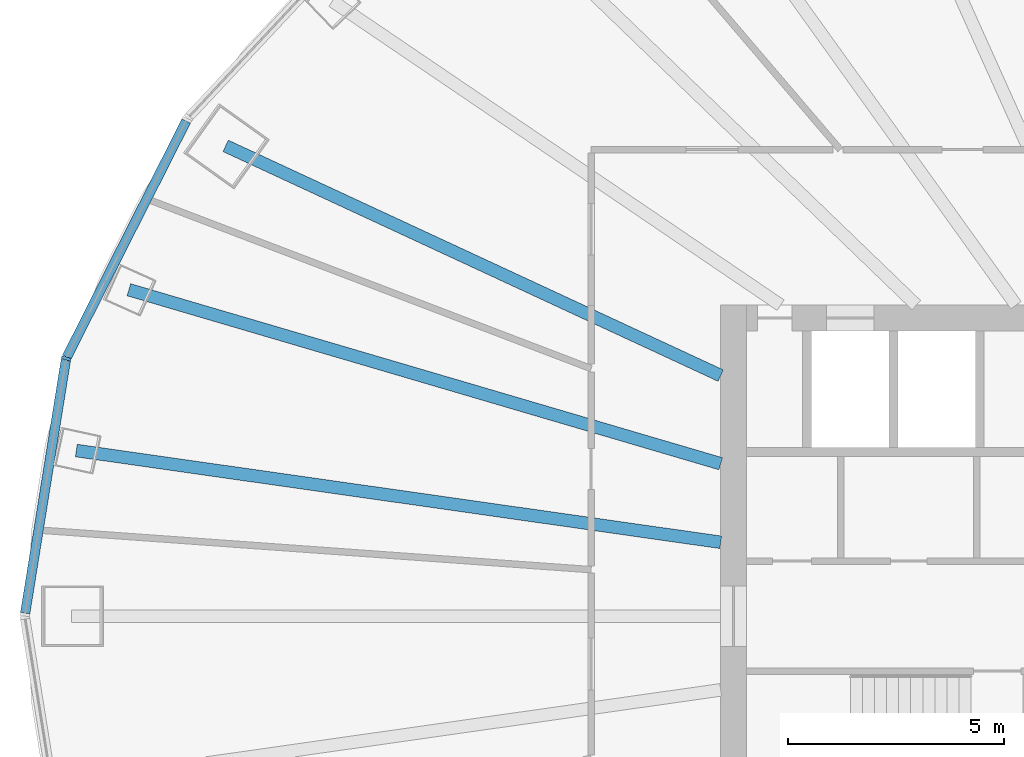
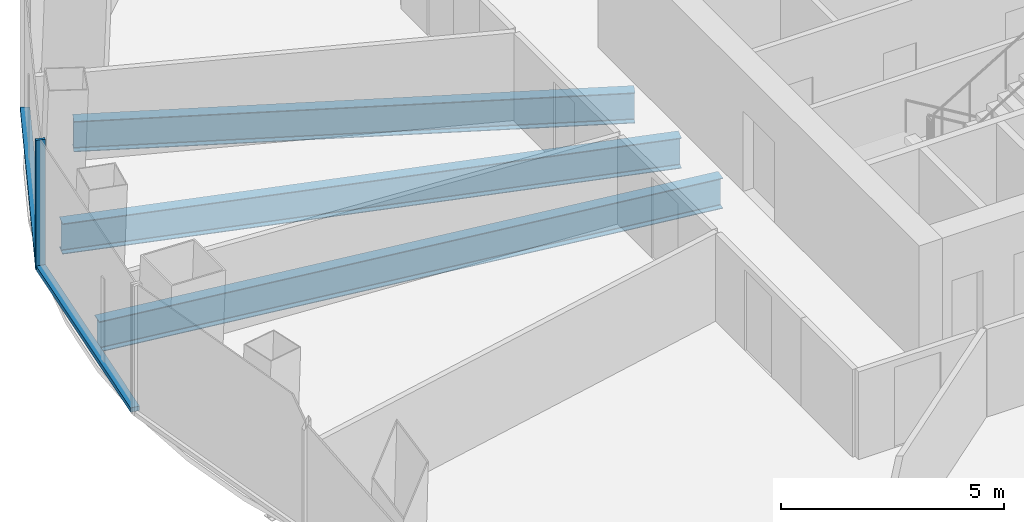
# One storey, part 3 of 11: 3 beams, 3 members, 1 element without a shape of its own.
"""IFC4 building model written with IfcOpenShell, lengths in metres."""

from ifc_helpers import new_model, si_unit, direction, frame, origin, origin_2d, place, context, subcontext, project, spatial, rectangle, i_section, extrude, material, layer, layer_set, material_profile, profile_set, type_object, element, aggregate, save


model = new_model("IFC4")

# Units and contexts
model_context = context("Model", 3, precision=1e-05, world=origin(), true_north=direction((0.0, 1.0)))
body_context = subcontext(model_context, "Body", "Model", "MODEL_VIEW")
ifc_project = project(units=[si_unit("LENGTHUNIT", "METRE"), si_unit("AREAUNIT", "SQUARE_METRE"), si_unit("VOLUMEUNIT", "CUBIC_METRE"), si_unit("PLANEANGLEUNIT", "RADIAN"), si_unit("MASSUNIT", "GRAM", prefix="KILO")], contexts=[model_context])

# Site, building, storey
site_placement = place(None, origin())
site = spatial("IfcSite", under=ifc_project, at=site_placement, CompositionType="ELEMENT")
building_placement = place(site_placement, origin())
building = spatial("IfcBuilding", under=site, at=building_placement, Name="Siaravel Broadcast Tower", CompositionType="ELEMENT")
storey_placement = place(building_placement, frame((0.0, 0.0, 40.800048828125)))
storey = spatial("IfcBuildingStorey", under=building, at=storey_placement, Name="L08", CompositionType="ELEMENT", Elevation=40.800048828125)

# Beams
ifc_material_1 = material(Name="Steel S355", Category="steel")
ifc_material_profile_1 = material_profile(ifc_material_1, i_section(OverallWidth=0.291748046875, OverallDepth=0.8349609375, WebThickness=0.013916015625, FlangeThickness=0.018798828125, FilletRadius=0.017822265625, at=origin_2d()))
ifc_profile_set_1 = profile_set([ifc_material_profile_1], Name="Steel S355")
beam_type = type_object("IfcBeamType", Name="BM-UB 838x292x176", PredefinedType="BEAM", material=ifc_profile_set_1)
beam_1_placement = place(storey_placement, frame((-23.46240234375, 10.88720703125, -0.567626953125), z_axis=(0.907099082, -0.420917159, 0.0), x_axis=(0.420917159, 0.907099082, 0.0)))
element("IfcBeam", 1, at=beam_1_placement, inside=storey, type_object=beam_type, Name="Radial beam RB16", PredefinedType="BEAM", context=body_context, shape_type="SweptSolid", body=[
    extrude(i_section(OverallWidth=0.291748046875, OverallDepth=0.8349609375, WebThickness=0.013916015625, FlangeThickness=0.018798828125, FilletRadius=0.017822265625, at=origin_2d()), origin(), (0.0, 0.0, 1.0), 12.63623046875),
])
beam_2_placement = place(storey_placement, frame((-25.70263671875, 7.555908203125, -0.567626953125), z_axis=(0.959400879, -0.282046013, 0.0), x_axis=(0.282046013, 0.959400879, 0.0)))
element("IfcBeam", 2, at=beam_2_placement, inside=storey, type_object=beam_type, Name="Radial beam RB17", PredefinedType="BEAM", context=body_context, shape_type="SweptSolid", body=[
    extrude(i_section(OverallWidth=0.291748046875, OverallDepth=0.8349609375, WebThickness=0.013916015625, FlangeThickness=0.018798828125, FilletRadius=0.017822265625, at=origin_2d()), origin(), (0.0, 0.0, 1.0), 14.282470703125),
])
beam_3_placement = place(storey_placement, frame((-26.920654296875, 3.832763671875, -0.567626953125), z_axis=(0.99001677, -0.140949618, 0.0), x_axis=(0.140949618, 0.99001677, 0.0)))
element("IfcBeam", 3, at=beam_3_placement, inside=storey, type_object=beam_type, Name="Radial beam RB18", PredefinedType="BEAM", context=body_context, shape_type="SweptSolid", body=[
    extrude(i_section(OverallWidth=0.291748046875, OverallDepth=0.8349609375, WebThickness=0.013916015625, FlangeThickness=0.018798828125, FilletRadius=0.017822265625, at=origin_2d()), origin(), (0.0, 0.0, 1.0), 15.071044921875),
])

# Curtain wall, members
ifc_material_2 = material(Name="Aluminium 6063-T6", Category="aluminium")
ifc_layer = layer(ifc_material_2, 0.219970703125)
ifc_layer_set = layer_set([ifc_layer], Name="Aluminium 6063-T6")
curtain_wall_type = type_object("IfcCurtainWallType", Name="Unitised curtain wall, zone 1", PredefinedType="NOTDEFINED", material=ifc_layer_set)
curtain_wall_placement = place(storey_placement, origin())
curtain_wall = element("IfcCurtainWall", 4, at=curtain_wall_placement, inside=storey, type_object=curtain_wall_type, Name="L08 Unitised curtain wall, zone 1 06", PredefinedType="NOTDEFINED")
ifc_material_profile_2 = material_profile(ifc_material_2, rectangle(XDim=0.219970703125, YDim=0.070068359375, at=origin_2d()))
ifc_profile_set_2 = profile_set([ifc_material_profile_2], Name="Aluminium 6063-T6")
member_type_1 = type_object("IfcMemberType", Name="CW-Z1 mullion", PredefinedType="MULLION", material=ifc_profile_set_2)
member_1_placement = place(storey_placement, frame((-27.1572265625, 5.965576171875, 0.0), z_axis=(0.0, 0.0, 1.0), x_axis=(0.951177076, -0.308645704, 0.0)))
member_1 = element("IfcMember", 5, at=member_1_placement, type_object=member_type_1, Name="CW-Z1 mullion 2", PredefinedType="MULLION", context=body_context, shape_type="SweptSolid", body=[
    extrude(rectangle(XDim=0.219970703125, YDim=0.070068359375, at=origin_2d()), origin(), (0.0, 0.0, 1.0), 3.550048828125),
])
ifc_material_profile_3 = material_profile(ifc_material_2, rectangle(XDim=0.219970703125, YDim=0.1201171875, at=origin_2d()))
ifc_profile_set_3 = profile_set([ifc_material_profile_3], Name="Aluminium 6063-T6")
member_type_2 = type_object("IfcMemberType", Name="CW-Z1 transom", PredefinedType="USERDEFINED", material=ifc_profile_set_3)
member_2_placement = place(storey_placement, frame((-24.37841796875, 11.4609375, 0.06005859375), z_axis=(-0.451275958, -0.892384452, 0.0), x_axis=(0.892384452, -0.451275958, 0.0)))
member_2 = element("IfcMember", 6, at=member_2_placement, type_object=member_type_2, Name="CW-Z1 transom 1", ObjectType="TRANSOM", PredefinedType="USERDEFINED", context=body_context, shape_type="SweptSolid", body=[
    extrude(rectangle(XDim=0.219970703125, YDim=0.1201171875, at=origin_2d()), origin(), (0.0, 0.0, 1.0), 6.123046875),
])
member_3_placement = place(storey_placement, frame((-27.162841796875, 5.93115234375, 0.06005859375), z_axis=(-0.158681674, -0.987329796, 0.0), x_axis=(0.987329796, -0.158681674, 0.0)))
member_3 = element("IfcMember", 7, at=member_3_placement, type_object=member_type_2, Name="CW-Z1 transom 2", ObjectType="TRANSOM", PredefinedType="USERDEFINED", context=body_context, shape_type="SweptSolid", body=[
    extrude(rectangle(XDim=0.219970703125, YDim=0.1201171875, at=origin_2d()), origin(), (0.0, 0.0, 1.0), 5.937255859375),
])
aggregate(curtain_wall, [member_1, member_2, member_3])

save(model, "model.ifc")
